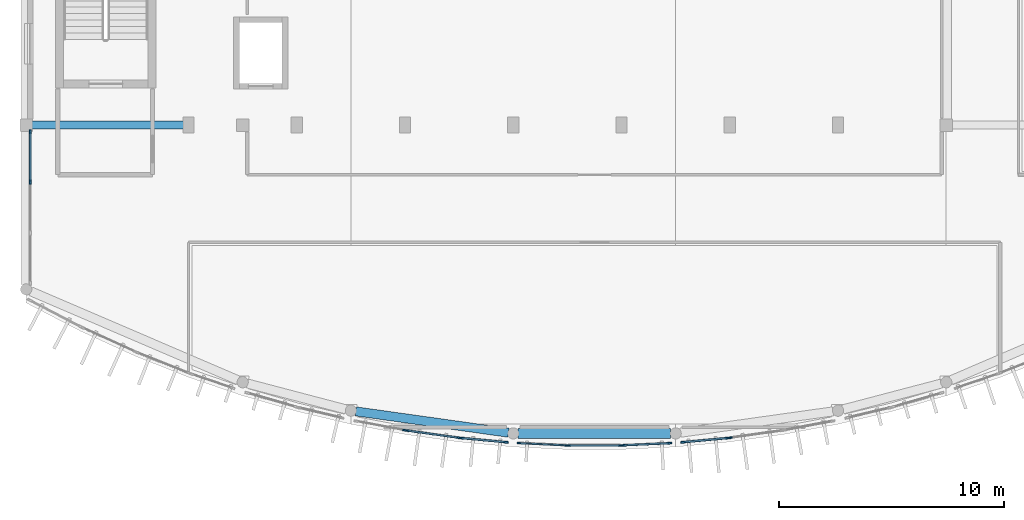
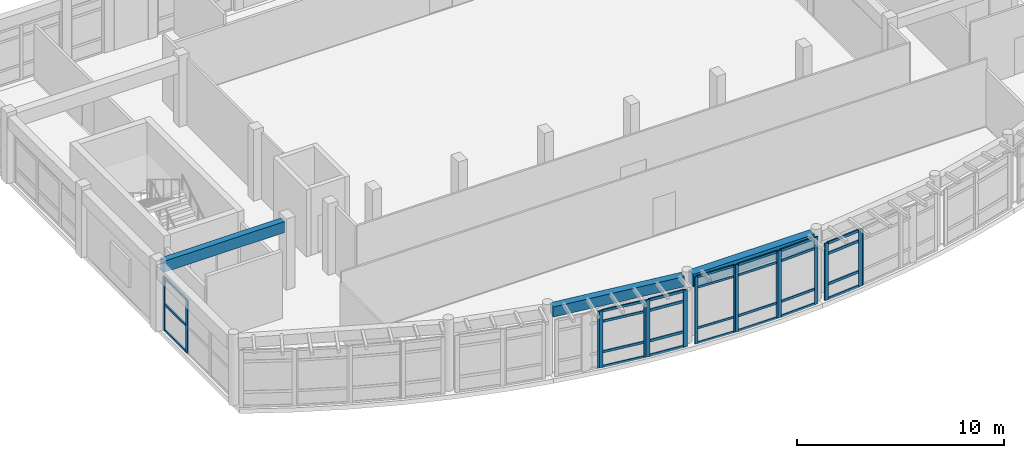
# One storey, part 10 of 60: 43 members, 3 beams, 9 elements without a shape of their own.
"""IFC4 building model written with IfcOpenShell, lengths in metres."""

from ifc_helpers import new_model, si_unit, direction, frame, origin, origin_2d, place, context, subcontext, project, spatial, rectangle, extrude, material, layer, layer_set, material_profile, profile_set, type_object, element, aggregate, save


model = new_model("IFC4")

# Units and contexts
model_context = context("Model", 3, precision=1e-05, world=origin(), true_north=direction((0.0, 1.0)))
body_context = subcontext(model_context, "Body", "Model", "MODEL_VIEW")
ifc_project = project(units=[si_unit("LENGTHUNIT", "METRE"), si_unit("AREAUNIT", "SQUARE_METRE"), si_unit("VOLUMEUNIT", "CUBIC_METRE"), si_unit("PLANEANGLEUNIT", "RADIAN"), si_unit("MASSUNIT", "GRAM", prefix="KILO")], contexts=[model_context])

# Site, building, storey
site_placement = place(None, origin())
site = spatial("IfcSite", under=ifc_project, at=site_placement, CompositionType="ELEMENT")
building_placement = place(site_placement, origin())
building = spatial("IfcBuilding", under=site, at=building_placement, Name="Brisavento Harbour Community Centre", CompositionType="ELEMENT")
storey_placement = place(building_placement, frame((0.0, 0.0, 4.5)))
storey = spatial("IfcBuildingStorey", under=building, at=storey_placement, Name="L01", CompositionType="ELEMENT", Elevation=4.5)

# Beams
ifc_material_1 = material(Name="Concrete C35/45", Category="concrete")
ifc_material_profile_1 = material_profile(ifc_material_1, rectangle(XDim=0.35009765625, YDim=0.64990234375, at=origin_2d()), Name="Concrete C35/45")
ifc_profile_set_1 = profile_set([ifc_material_profile_1], Name="Concrete C35/45")
beam_type_1 = type_object("IfcBeamType", Name="BM-RC-350x650", PredefinedType="BEAM", material=ifc_profile_set_1)
beam_1_placement = place(storey_placement, frame((0.2451171875, 14.39990234375, 3.625), z_axis=(1.0, 0.0, 0.0), x_axis=(0.0, 1.0, 0.0)))
element("IfcBeam", 1, at=beam_1_placement, inside=storey, type_object=beam_type_1, Name="L01 primary girder X0408", PredefinedType="BEAM", context=body_context, shape_type="SweptSolid", body=[
    extrude(rectangle(XDim=0.35009765625, YDim=0.64990234375, at=origin_2d()), origin(), (0.0, 0.0, 1.0), 6.73486328125),
])
ifc_material_profile_2 = material_profile(ifc_material_1, rectangle(XDim=0.449951171875, YDim=0.75, at=origin_2d()), Name="Concrete C35/45")
ifc_profile_set_2 = profile_set([ifc_material_profile_2], Name="Concrete C35/45")
beam_type_2 = type_object("IfcBeamType", Name="BM-RC-450x750", PredefinedType="BEAM", material=ifc_profile_set_2)
beam_2_placement = place(storey_placement, frame((21.820068359375, 0.724853515625, 3.574951171875), z_axis=(1.0, 0.0, 0.0), x_axis=(0.0, 1.0, 0.0)))
element("IfcBeam", 2, at=beam_2_placement, inside=storey, type_object=beam_type_2, Name="L01 primary girder X0406", PredefinedType="BEAM", context=body_context, shape_type="SweptSolid", body=[
    extrude(rectangle(XDim=0.449951171875, YDim=0.75, at=origin_2d()), origin(), (0.0, 0.0, 1.0), 6.760009765625),
])
ifc_material_profile_3 = material_profile(ifc_material_1, rectangle(XDim=0.39990234375, YDim=0.60009765625, at=origin_2d()), Name="Concrete C35/45")
ifc_profile_set_3 = profile_set([ifc_material_profile_3], Name="Concrete C35/45")
beam_type_3 = type_object("IfcBeamType", Name="BM-SPN-400x600", PredefinedType="SPANDREL", material=ifc_profile_set_3)
beam_3_placement = place(storey_placement, frame((14.617919921875, 1.703369140625, 3.64990234375), z_axis=(0.990321318847, -0.138793679386, 0.0), x_axis=(0.138793679386, 0.990321318847, 0.0)))
element("IfcBeam", 3, at=beam_3_placement, inside=storey, type_object=beam_type_3, Name="L01 curved perimeter spandrel 0533", PredefinedType="SPANDREL", context=body_context, shape_type="SweptSolid", body=[
    extrude(rectangle(XDim=0.39990234375, YDim=0.60009765625, at=origin_2d()), origin(), (0.0, 0.0, 1.0), 6.830322265625),
])

# Curtain wall, members
ifc_material_2 = material(Name="Marine-anodised aluminium AW-6063-T6", Category="aluminium")
ifc_layer_1 = layer(ifc_material_2, 0.179931640625, Name="Marine-anodised aluminium AW-6063-T6")
ifc_layer_set_1 = layer_set([ifc_layer_1], Name="Marine-anodised aluminium AW-6063-T6")
curtain_wall_type_1 = type_object("IfcCurtainWallType", Name="CW-SYS-01", PredefinedType="USERDEFINED", material=ifc_layer_set_1)
curtain_wall_1_placement = place(storey_placement, origin())
curtain_wall_1 = element("IfcCurtainWall", 4, at=curtain_wall_1_placement, inside=storey, type_object=curtain_wall_type_1, Name="L01 V1 unitised curtain wall 029", ObjectType="UNITISED CURTAIN WALL", PredefinedType="USERDEFINED")
ifc_material_profile_4 = material_profile(ifc_material_2, rectangle(XDim=0.06494140625, YDim=0.1650390625, at=origin_2d()), Name="Marine-anodised aluminium AW-6063-T6")
ifc_profile_set_4 = profile_set([ifc_material_profile_4], Name="Marine-anodised aluminium AW-6063-T6")
member_type_1 = type_object("IfcMemberType", Name="CWM-01", PredefinedType="MULLION", material=ifc_profile_set_4)
member_1_placement = place(storey_placement, frame((23.957763671875, 0.196044921875, 0.0), z_axis=(0.0, 0.0, 1.0), x_axis=(-0.046167846582, -0.998933696469, 0.0)))
member_1 = element("IfcMember", 5, at=member_1_placement, type_object=member_type_1, Name="CW-01 mullion 1", PredefinedType="MULLION", context=body_context, shape_type="SweptSolid", body=[
    extrude(rectangle(XDim=0.06494140625, YDim=0.1650390625, at=origin_2d()), origin(), (0.0, 0.0, 1.0), 3.949951171875),
])
member_2_placement = place(storey_placement, frame((21.859130859375, 0.29296875, 0.0), z_axis=(0.0, 0.0, 1.0), x_axis=(-0.046167846582, -0.998933696469, 0.0)))
member_2 = element("IfcMember", 6, at=member_2_placement, type_object=member_type_1, Name="CW-01 mullion 2", PredefinedType="MULLION", context=body_context, shape_type="SweptSolid", body=[
    extrude(rectangle(XDim=0.06494140625, YDim=0.1650390625, at=origin_2d()), origin(), (0.0, 0.0, 1.0), 3.949951171875),
])

# Curtain wall, member
ifc_layer_2 = layer(ifc_material_2, 0.179931640625, Name="Marine-anodised aluminium AW-6063-T6")
ifc_layer_set_2 = layer_set([ifc_layer_2], Name="Marine-anodised aluminium AW-6063-T6")
curtain_wall_type_2 = type_object("IfcCurtainWallType", Name="CW-SYS-05", PredefinedType="USERDEFINED", material=ifc_layer_set_2)
curtain_wall_2_placement = place(storey_placement, origin())
curtain_wall_2 = element("IfcCurtainWall", 7, at=curtain_wall_2_placement, inside=storey, type_object=curtain_wall_type_2, Name="L01 V1 unitised curtain wall 033", ObjectType="UNITISED CURTAIN WALL", PredefinedType="USERDEFINED")
member_3_placement = place(storey_placement, frame((31.22509765625, 0.53271484375, 0.0), z_axis=(0.0, 0.0, 1.0), x_axis=(0.138476944024, -0.990365657711, 0.0)))
member_3 = element("IfcMember", 8, at=member_3_placement, type_object=member_type_1, Name="CW-05 mullion 2", PredefinedType="MULLION", context=body_context, shape_type="SweptSolid", body=[
    extrude(rectangle(XDim=0.06494140625, YDim=0.1650390625, at=origin_2d()), origin(), (0.0, 0.0, 1.0), 3.35009765625),
])
aggregate(curtain_wall_2, [member_3])

ifc_layer_3 = layer(ifc_material_2, 0.179931640625, Name="Marine-anodised aluminium AW-6063-T6")
ifc_layer_set_3 = layer_set([ifc_layer_3], Name="Marine-anodised aluminium AW-6063-T6")
curtain_wall_type_3 = type_object("IfcCurtainWallType", Name="CW-SYS-26", PredefinedType="USERDEFINED", material=ifc_layer_set_3)
curtain_wall_3_placement = place(storey_placement, origin())
curtain_wall_3 = element("IfcCurtainWall", 9, at=curtain_wall_3_placement, inside=storey, type_object=curtain_wall_type_3, Name="L01 V1 unitised curtain wall 026", ObjectType="UNITISED CURTAIN WALL", PredefinedType="USERDEFINED")
ifc_material_profile_5 = material_profile(ifc_material_2, rectangle(XDim=0.070068359375, YDim=0.179931640625, at=origin_2d()), Name="Marine-anodised aluminium AW-6063-T6")
ifc_profile_set_5 = profile_set([ifc_material_profile_5], Name="Marine-anodised aluminium AW-6063-T6")
member_type_2 = type_object("IfcMemberType", Name="CWM-02", PredefinedType="MULLION", material=ifc_profile_set_5)
member_4_placement = place(storey_placement, frame((16.781005859375, 0.86962890625, 0.0), z_axis=(0.0, 0.0, 1.0), x_axis=(-0.184689637418, -0.982796895513, 0.0)))
member_4 = element("IfcMember", 10, at=member_4_placement, type_object=member_type_2, Name="CW-26 mullion 1", PredefinedType="MULLION", context=body_context, shape_type="SweptSolid", body=[
    extrude(rectangle(XDim=0.070068359375, YDim=0.179931640625, at=origin_2d()), origin(), (0.0, 0.0, 1.0), 3.35009765625),
])
aggregate(curtain_wall_3, [member_4])

# Curtain wall, members
ifc_layer_4 = layer(ifc_material_2, 0.179931640625, Name="Marine-anodised aluminium AW-6063-T6")
ifc_layer_set_4 = layer_set([ifc_layer_4], Name="Marine-anodised aluminium AW-6063-T6")
curtain_wall_type_4 = type_object("IfcCurtainWallType", Name="CW-SYS-02", PredefinedType="USERDEFINED", material=ifc_layer_set_4)
curtain_wall_4_placement = place(storey_placement, origin())
curtain_wall_4 = element("IfcCurtainWall", 11, at=curtain_wall_4_placement, inside=storey, type_object=curtain_wall_type_4, Name="L01 V1 unitised curtain wall 030", ObjectType="UNITISED CURTAIN WALL", PredefinedType="USERDEFINED")
member_5_placement = place(storey_placement, frame((26.346923828125, 0.19384765625, 0.0), z_axis=(0.0, 0.0, 1.0), x_axis=(0.0, -1.0, 0.0)))
member_5 = element("IfcMember", 12, at=member_5_placement, type_object=member_type_2, Name="CW-02 mullion 1", PredefinedType="MULLION", context=body_context, shape_type="SweptSolid", body=[
    extrude(rectangle(XDim=0.070068359375, YDim=0.179931640625, at=origin_2d()), origin(), (0.0, 0.0, 1.0), 3.949951171875),
])
member_6_placement = place(storey_placement, frame((24.052978515625, 0.19384765625, 0.0), z_axis=(0.0, 0.0, 1.0), x_axis=(0.0, -1.0, 0.0)))
member_6 = element("IfcMember", 13, at=member_6_placement, type_object=member_type_2, Name="CW-02 mullion 2", PredefinedType="MULLION", context=body_context, shape_type="SweptSolid", body=[
    extrude(rectangle(XDim=0.070068359375, YDim=0.179931640625, at=origin_2d()), origin(), (0.0, 0.0, 1.0), 3.949951171875),
])

ifc_layer_5 = layer(ifc_material_2, 0.179931640625, Name="Marine-anodised aluminium AW-6063-T6")
ifc_layer_set_5 = layer_set([ifc_layer_5], Name="Marine-anodised aluminium AW-6063-T6")
curtain_wall_type_5 = type_object("IfcCurtainWallType", Name="CW-SYS-27", PredefinedType="USERDEFINED", material=ifc_layer_set_5)
curtain_wall_5_placement = place(storey_placement, origin())
curtain_wall_5 = element("IfcCurtainWall", 14, at=curtain_wall_5_placement, inside=storey, type_object=curtain_wall_type_5, Name="L01 V1 unitised curtain wall 027", ObjectType="UNITISED CURTAIN WALL", PredefinedType="USERDEFINED")
ifc_material_profile_6 = material_profile(ifc_material_2, rectangle(XDim=0.074951171875, YDim=0.18994140625, at=origin_2d()), Name="Marine-anodised aluminium AW-6063-T6")
ifc_profile_set_6 = profile_set([ifc_material_profile_6], Name="Marine-anodised aluminium AW-6063-T6")
member_type_3 = type_object("IfcMemberType", Name="CWM-03", PredefinedType="MULLION", material=ifc_profile_set_6)
member_7_placement = place(storey_placement, frame((19.169921875, 0.533203125, 0.0), z_axis=(0.0, 0.0, 1.0), x_axis=(-0.138476944024, -0.990365657711, 0.0)))
member_7 = element("IfcMember", 15, at=member_7_placement, type_object=member_type_3, Name="CW-27 mullion 1", PredefinedType="MULLION", context=body_context, shape_type="SweptSolid", body=[
    extrude(rectangle(XDim=0.074951171875, YDim=0.18994140625, at=origin_2d()), origin(), (0.0, 0.0, 1.0), 3.35009765625),
])
member_8_placement = place(storey_placement, frame((16.8798828125, 0.853515625, 0.0), z_axis=(0.0, 0.0, 1.0), x_axis=(-0.138476944024, -0.990365657711, 0.0)))
member_8 = element("IfcMember", 16, at=member_8_placement, type_object=member_type_3, Name="CW-27 mullion 2", PredefinedType="MULLION", context=body_context, shape_type="SweptSolid", body=[
    extrude(rectangle(XDim=0.074951171875, YDim=0.18994140625, at=origin_2d()), origin(), (0.0, 0.0, 1.0), 3.35009765625),
])

ifc_layer_6 = layer(ifc_material_2, 0.179931640625, Name="Marine-anodised aluminium AW-6063-T6")
ifc_layer_set_6 = layer_set([ifc_layer_6], Name="Marine-anodised aluminium AW-6063-T6")
curtain_wall_type_6 = type_object("IfcCurtainWallType", Name="CW-SYS-03", PredefinedType="USERDEFINED", material=ifc_layer_set_6)
curtain_wall_6_placement = place(storey_placement, origin())
curtain_wall_6 = element("IfcCurtainWall", 17, at=curtain_wall_6_placement, inside=storey, type_object=curtain_wall_type_6, Name="L01 V1 unitised curtain wall 031", ObjectType="UNITISED CURTAIN WALL", PredefinedType="USERDEFINED")
member_9_placement = place(storey_placement, frame((28.535888671875, 0.292724609375, 0.0), z_axis=(0.0, 0.0, 1.0), x_axis=(0.046167846582, -0.998933696469, 0.0)))
member_9 = element("IfcMember", 18, at=member_9_placement, type_object=member_type_3, Name="CW-03 mullion 1", PredefinedType="MULLION", context=body_context, shape_type="SweptSolid", body=[
    extrude(rectangle(XDim=0.074951171875, YDim=0.18994140625, at=origin_2d()), origin(), (0.0, 0.0, 1.0), 3.949951171875),
])
member_10_placement = place(storey_placement, frame((26.447265625, 0.1962890625, 0.0), z_axis=(0.0, 0.0, 1.0), x_axis=(0.046167846582, -0.998933696469, 0.0)))
member_10 = element("IfcMember", 19, at=member_10_placement, type_object=member_type_3, Name="CW-03 mullion 2", PredefinedType="MULLION", context=body_context, shape_type="SweptSolid", body=[
    extrude(rectangle(XDim=0.074951171875, YDim=0.18994140625, at=origin_2d()), origin(), (0.0, 0.0, 1.0), 3.949951171875),
])

ifc_layer_7 = layer(ifc_material_2, 0.179931640625, Name="Marine-anodised aluminium AW-6063-T6")
ifc_layer_set_7 = layer_set([ifc_layer_7], Name="Marine-anodised aluminium AW-6063-T6")
curtain_wall_type_7 = type_object("IfcCurtainWallType", Name="CW-SYS-19", PredefinedType="USERDEFINED", material=ifc_layer_set_7)
curtain_wall_7_placement = place(storey_placement, origin())
curtain_wall_7 = element("IfcCurtainWall", 20, at=curtain_wall_7_placement, inside=storey, type_object=curtain_wall_type_7, Name="L01 V1 unitised curtain wall 047", ObjectType="UNITISED CURTAIN WALL", PredefinedType="USERDEFINED")
member_11_placement = place(storey_placement, frame((0.179931640625, 11.87646484375, 0.0), z_axis=(0.0, 0.0, 1.0), x_axis=(-1.0, 0.0, 0.0)))
member_11 = element("IfcMember", 21, at=member_11_placement, type_object=member_type_3, Name="CW-19 mullion 3", PredefinedType="MULLION", context=body_context, shape_type="SweptSolid", body=[
    extrude(rectangle(XDim=0.074951171875, YDim=0.18994140625, at=origin_2d()), origin(), (0.0, 0.0, 1.0), 3.14990234375),
])
member_12_placement = place(storey_placement, frame((0.179931640625, 14.1025390625, 0.0), z_axis=(0.0, 0.0, 1.0), x_axis=(-1.0, 0.0, 0.0)))
member_12 = element("IfcMember", 22, at=member_12_placement, type_object=member_type_3, Name="CW-19 mullion 4", PredefinedType="MULLION", context=body_context, shape_type="SweptSolid", body=[
    extrude(rectangle(XDim=0.074951171875, YDim=0.18994140625, at=origin_2d()), origin(), (0.0, 0.0, 1.0), 3.14990234375),
])

ifc_layer_8 = layer(ifc_material_2, 0.179931640625, Name="Marine-anodised aluminium AW-6063-T6")
ifc_layer_set_8 = layer_set([ifc_layer_8], Name="Marine-anodised aluminium AW-6063-T6")
curtain_wall_type_8 = type_object("IfcCurtainWallType", Name="CW-SYS-28", PredefinedType="USERDEFINED", material=ifc_layer_set_8)
curtain_wall_8_placement = place(storey_placement, origin())
curtain_wall_8 = element("IfcCurtainWall", 23, at=curtain_wall_8_placement, inside=storey, type_object=curtain_wall_type_8, Name="L01 V1 unitised curtain wall 028", ObjectType="UNITISED CURTAIN WALL", PredefinedType="USERDEFINED")
ifc_material_profile_7 = material_profile(ifc_material_2, rectangle(XDim=0.080078125, YDim=0.2099609375, at=origin_2d()), Name="Marine-anodised aluminium AW-6063-T6")
ifc_profile_set_7 = profile_set([ifc_material_profile_7], Name="Marine-anodised aluminium AW-6063-T6")
member_type_4 = type_object("IfcMemberType", Name="CWM-04", PredefinedType="MULLION", material=ifc_profile_set_7)
member_13_placement = place(storey_placement, frame((21.265869140625, 0.336669921875, 0.0), z_axis=(0.0, 0.0, 1.0), x_axis=(-0.092260886159, -0.99573486877, 0.0)))
member_13 = element("IfcMember", 24, at=member_13_placement, type_object=member_type_4, Name="CW-28 mullion 1", PredefinedType="MULLION", context=body_context, shape_type="SweptSolid", body=[
    extrude(rectangle(XDim=0.080078125, YDim=0.2099609375, at=origin_2d()), origin(), (0.0, 0.0, 1.0), 3.35009765625),
])
member_14_placement = place(storey_placement, frame((19.2744140625, 0.52099609375, 0.0), z_axis=(0.0, 0.0, 1.0), x_axis=(-0.092260886159, -0.99573486877, 0.0)))
member_14 = element("IfcMember", 25, at=member_14_placement, type_object=member_type_4, Name="CW-28 mullion 2", PredefinedType="MULLION", context=body_context, shape_type="SweptSolid", body=[
    extrude(rectangle(XDim=0.080078125, YDim=0.2099609375, at=origin_2d()), origin(), (0.0, 0.0, 1.0), 3.35009765625),
])

ifc_layer_9 = layer(ifc_material_2, 0.179931640625, Name="Marine-anodised aluminium AW-6063-T6")
ifc_layer_set_9 = layer_set([ifc_layer_9], Name="Marine-anodised aluminium AW-6063-T6")
curtain_wall_type_9 = type_object("IfcCurtainWallType", Name="CW-SYS-04", PredefinedType="USERDEFINED", material=ifc_layer_set_9)
curtain_wall_9_placement = place(storey_placement, origin())
curtain_wall_9 = element("IfcCurtainWall", 26, at=curtain_wall_9_placement, inside=storey, type_object=curtain_wall_type_9, Name="L01 V1 unitised curtain wall 032", ObjectType="UNITISED CURTAIN WALL", PredefinedType="USERDEFINED")
member_15_placement = place(storey_placement, frame((31.125732421875, 0.52099609375, 0.0), z_axis=(0.0, 0.0, 1.0), x_axis=(0.092260886159, -0.99573486877, 0.0)))
member_15 = element("IfcMember", 27, at=member_15_placement, type_object=member_type_4, Name="CW-04 mullion 1", PredefinedType="MULLION", context=body_context, shape_type="SweptSolid", body=[
    extrude(rectangle(XDim=0.080078125, YDim=0.2099609375, at=origin_2d()), origin(), (0.0, 0.0, 1.0), 3.35009765625),
])
member_16_placement = place(storey_placement, frame((29.13427734375, 0.336669921875, 0.0), z_axis=(0.0, 0.0, 1.0), x_axis=(0.092260886159, -0.99573486877, 0.0)))
member_16 = element("IfcMember", 28, at=member_16_placement, type_object=member_type_4, Name="CW-04 mullion 2", PredefinedType="MULLION", context=body_context, shape_type="SweptSolid", body=[
    extrude(rectangle(XDim=0.080078125, YDim=0.2099609375, at=origin_2d()), origin(), (0.0, 0.0, 1.0), 3.35009765625),
])

# Member
ifc_material_profile_8 = material_profile(ifc_material_2, rectangle(XDim=0.06494140625, YDim=0.125, at=origin_2d()), Name="Marine-anodised aluminium AW-6063-T6")
ifc_profile_set_8 = profile_set([ifc_material_profile_8], Name="Marine-anodised aluminium AW-6063-T6")
member_type_5 = type_object("IfcMemberType", Name="CWT-01", PredefinedType="USERDEFINED", material=ifc_profile_set_8)
member_17_placement = place(storey_placement, frame((23.92529296875, 0.197509765625, 0.032470703125), z_axis=(-0.998933633845, 0.046169201564, 0.0), x_axis=(-0.046169201564, -0.998933633845, 0.0)))
member_17 = element("IfcMember", 29, at=member_17_placement, type_object=member_type_5, Name="CW-01 transom 1.1", ObjectType="TRANSOM", PredefinedType="USERDEFINED", context=body_context, shape_type="SweptSolid", body=[
    extrude(rectangle(XDim=0.06494140625, YDim=0.125, at=origin_2d()), origin(), (0.0, 0.0, 1.0), 2.035888671875),
])

member_18_placement = place(storey_placement, frame((23.92529296875, 0.197509765625, 0.89990234375), z_axis=(-0.998933633845, 0.046169201564, 0.0), x_axis=(-0.046169201564, -0.998933633845, 0.0)))
member_18 = element("IfcMember", 30, at=member_18_placement, type_object=member_type_5, Name="CW-01 transom 1.2", ObjectType="TRANSOM", PredefinedType="USERDEFINED", context=body_context, shape_type="SweptSolid", body=[
    extrude(rectangle(XDim=0.06494140625, YDim=0.125, at=origin_2d()), origin(), (0.0, 0.0, 1.0), 2.035888671875),
])

member_19_placement = place(storey_placement, frame((23.92529296875, 0.197509765625, 3.300048828125), z_axis=(-0.998933633845, 0.046169201564, 0.0), x_axis=(-0.046169201564, -0.998933633845, 0.0)))
member_19 = element("IfcMember", 31, at=member_19_placement, type_object=member_type_5, Name="CW-01 transom 1.3", ObjectType="TRANSOM", PredefinedType="USERDEFINED", context=body_context, shape_type="SweptSolid", body=[
    extrude(rectangle(XDim=0.06494140625, YDim=0.125, at=origin_2d()), origin(), (0.0, 0.0, 1.0), 2.035888671875),
])

member_20_placement = place(storey_placement, frame((23.92529296875, 0.197509765625, 3.91748046875), z_axis=(-0.998933633845, 0.046169201564, 0.0), x_axis=(-0.046169201564, -0.998933633845, 0.0)))
member_20 = element("IfcMember", 32, at=member_20_placement, type_object=member_type_5, Name="CW-01 transom 1.4", ObjectType="TRANSOM", PredefinedType="USERDEFINED", context=body_context, shape_type="SweptSolid", body=[
    extrude(rectangle(XDim=0.06494140625, YDim=0.125, at=origin_2d()), origin(), (0.0, 0.0, 1.0), 2.035888671875),
])

aggregate(curtain_wall_1, [member_1, member_2, member_17, member_18, member_19, member_20])

ifc_material_profile_9 = material_profile(ifc_material_2, rectangle(XDim=0.070068359375, YDim=0.132080078125, at=origin_2d()), Name="Marine-anodised aluminium AW-6063-T6")
ifc_profile_set_9 = profile_set([ifc_material_profile_9], Name="Marine-anodised aluminium AW-6063-T6")
member_type_6 = type_object("IfcMemberType", Name="CWT-02", PredefinedType="USERDEFINED", material=ifc_profile_set_9)
member_21_placement = place(storey_placement, frame((26.31201171875, 0.19384765625, 0.034912109375), z_axis=(-1.0, 0.0, 0.0), x_axis=(0.0, -1.0, 0.0)))
member_21 = element("IfcMember", 33, at=member_21_placement, type_object=member_type_6, Name="CW-02 transom 1.1", ObjectType="TRANSOM", PredefinedType="USERDEFINED", context=body_context, shape_type="SweptSolid", body=[
    extrude(rectangle(XDim=0.070068359375, YDim=0.132080078125, at=origin_2d()), origin(), (0.0, 0.0, 1.0), 2.22412109375),
])

member_22_placement = place(storey_placement, frame((26.31201171875, 0.19384765625, 0.89990234375), z_axis=(-1.0, 0.0, 0.0), x_axis=(0.0, -1.0, 0.0)))
member_22 = element("IfcMember", 34, at=member_22_placement, type_object=member_type_6, Name="CW-02 transom 1.2", ObjectType="TRANSOM", PredefinedType="USERDEFINED", context=body_context, shape_type="SweptSolid", body=[
    extrude(rectangle(XDim=0.070068359375, YDim=0.132080078125, at=origin_2d()), origin(), (0.0, 0.0, 1.0), 2.22412109375),
])

member_23_placement = place(storey_placement, frame((26.31201171875, 0.19384765625, 3.300048828125), z_axis=(-1.0, 0.0, 0.0), x_axis=(0.0, -1.0, 0.0)))
member_23 = element("IfcMember", 35, at=member_23_placement, type_object=member_type_6, Name="CW-02 transom 1.3", ObjectType="TRANSOM", PredefinedType="USERDEFINED", context=body_context, shape_type="SweptSolid", body=[
    extrude(rectangle(XDim=0.070068359375, YDim=0.132080078125, at=origin_2d()), origin(), (0.0, 0.0, 1.0), 2.22412109375),
])

member_24_placement = place(storey_placement, frame((26.31201171875, 0.19384765625, 3.9150390625), z_axis=(-1.0, 0.0, 0.0), x_axis=(0.0, -1.0, 0.0)))
member_24 = element("IfcMember", 36, at=member_24_placement, type_object=member_type_6, Name="CW-02 transom 1.4", ObjectType="TRANSOM", PredefinedType="USERDEFINED", context=body_context, shape_type="SweptSolid", body=[
    extrude(rectangle(XDim=0.070068359375, YDim=0.132080078125, at=origin_2d()), origin(), (0.0, 0.0, 1.0), 2.22412109375),
])

aggregate(curtain_wall_4, [member_5, member_6, member_21, member_22, member_23, member_24])

ifc_material_profile_10 = material_profile(ifc_material_2, rectangle(XDim=0.074951171875, YDim=0.139892578125, at=origin_2d()), Name="Marine-anodised aluminium AW-6063-T6")
ifc_profile_set_10 = profile_set([ifc_material_profile_10], Name="Marine-anodised aluminium AW-6063-T6")
member_type_7 = type_object("IfcMemberType", Name="CWT-03", PredefinedType="USERDEFINED", material=ifc_profile_set_10)
member_25_placement = place(storey_placement, frame((19.1328125, 0.53857421875, 0.03759765625), z_axis=(-0.990366303286, 0.138472326892, 0.0), x_axis=(-0.138472326892, -0.990366303286, 0.0)))
member_25 = element("IfcMember", 37, at=member_25_placement, type_object=member_type_7, Name="CW-27 transom 1.1", ObjectType="TRANSOM", PredefinedType="USERDEFINED", context=body_context, shape_type="SweptSolid", body=[
    extrude(rectangle(XDim=0.074951171875, YDim=0.139892578125, at=origin_2d()), origin(), (0.0, 0.0, 1.0), 2.2373046875),
])

member_26_placement = place(storey_placement, frame((19.1328125, 0.53857421875, 0.89990234375), z_axis=(-0.990366303286, 0.138472326892, 0.0), x_axis=(-0.138472326892, -0.990366303286, 0.0)))
member_26 = element("IfcMember", 38, at=member_26_placement, type_object=member_type_7, Name="CW-27 transom 1.2", ObjectType="TRANSOM", PredefinedType="USERDEFINED", context=body_context, shape_type="SweptSolid", body=[
    extrude(rectangle(XDim=0.074951171875, YDim=0.139892578125, at=origin_2d()), origin(), (0.0, 0.0, 1.0), 2.2373046875),
])

member_27_placement = place(storey_placement, frame((19.1328125, 0.53857421875, 2.699951171875), z_axis=(-0.990366303286, 0.138472326892, 0.0), x_axis=(-0.138472326892, -0.990366303286, 0.0)))
member_27 = element("IfcMember", 39, at=member_27_placement, type_object=member_type_7, Name="CW-27 transom 1.3", ObjectType="TRANSOM", PredefinedType="USERDEFINED", context=body_context, shape_type="SweptSolid", body=[
    extrude(rectangle(XDim=0.074951171875, YDim=0.139892578125, at=origin_2d()), origin(), (0.0, 0.0, 1.0), 2.2373046875),
])

member_28_placement = place(storey_placement, frame((19.1328125, 0.53857421875, 3.3125), z_axis=(-0.990366303286, 0.138472326892, 0.0), x_axis=(-0.138472326892, -0.990366303286, 0.0)))
member_28 = element("IfcMember", 40, at=member_28_placement, type_object=member_type_7, Name="CW-27 transom 1.4", ObjectType="TRANSOM", PredefinedType="USERDEFINED", context=body_context, shape_type="SweptSolid", body=[
    extrude(rectangle(XDim=0.074951171875, YDim=0.139892578125, at=origin_2d()), origin(), (0.0, 0.0, 1.0), 2.2373046875),
])

aggregate(curtain_wall_5, [member_7, member_8, member_25, member_26, member_27, member_28])

member_29_placement = place(storey_placement, frame((28.49853515625, 0.291015625, 0.03759765625), z_axis=(-0.99893506482, -0.046138230052, 0.0), x_axis=(0.046138230052, -0.99893506482, 0.0)))
member_29 = element("IfcMember", 41, at=member_29_placement, type_object=member_type_7, Name="CW-03 transom 1.1", ObjectType="TRANSOM", PredefinedType="USERDEFINED", context=body_context, shape_type="SweptSolid", body=[
    extrude(rectangle(XDim=0.074951171875, YDim=0.139892578125, at=origin_2d()), origin(), (0.0, 0.0, 1.0), 2.01611328125),
])

member_30_placement = place(storey_placement, frame((28.49853515625, 0.291015625, 0.89990234375), z_axis=(-0.99893506482, -0.046138230052, 0.0), x_axis=(0.046138230052, -0.99893506482, 0.0)))
member_30 = element("IfcMember", 42, at=member_30_placement, type_object=member_type_7, Name="CW-03 transom 1.2", ObjectType="TRANSOM", PredefinedType="USERDEFINED", context=body_context, shape_type="SweptSolid", body=[
    extrude(rectangle(XDim=0.074951171875, YDim=0.139892578125, at=origin_2d()), origin(), (0.0, 0.0, 1.0), 2.01611328125),
])

member_31_placement = place(storey_placement, frame((28.49853515625, 0.291015625, 3.300048828125), z_axis=(-0.99893506482, -0.046138230052, 0.0), x_axis=(0.046138230052, -0.99893506482, 0.0)))
member_31 = element("IfcMember", 43, at=member_31_placement, type_object=member_type_7, Name="CW-03 transom 1.3", ObjectType="TRANSOM", PredefinedType="USERDEFINED", context=body_context, shape_type="SweptSolid", body=[
    extrude(rectangle(XDim=0.074951171875, YDim=0.139892578125, at=origin_2d()), origin(), (0.0, 0.0, 1.0), 2.01611328125),
])

member_32_placement = place(storey_placement, frame((28.49853515625, 0.291015625, 3.91259765625), z_axis=(-0.99893506482, -0.046138230052, 0.0), x_axis=(0.046138230052, -0.99893506482, 0.0)))
member_32 = element("IfcMember", 44, at=member_32_placement, type_object=member_type_7, Name="CW-03 transom 1.4", ObjectType="TRANSOM", PredefinedType="USERDEFINED", context=body_context, shape_type="SweptSolid", body=[
    extrude(rectangle(XDim=0.074951171875, YDim=0.139892578125, at=origin_2d()), origin(), (0.0, 0.0, 1.0), 2.01611328125),
])

aggregate(curtain_wall_6, [member_9, member_10, member_29, member_30, member_31, member_32])

member_33_placement = place(storey_placement, frame((0.179931640625, 11.913818359375, 0.03759765625), z_axis=(0.0, 1.0, 0.0), x_axis=(-1.0, 0.0, 0.0)))
member_33 = element("IfcMember", 45, at=member_33_placement, type_object=member_type_7, Name="CW-19 transom 3.1", ObjectType="TRANSOM", PredefinedType="USERDEFINED", context=body_context, shape_type="SweptSolid", body=[
    extrude(rectangle(XDim=0.074951171875, YDim=0.139892578125, at=origin_2d()), origin(), (0.0, 0.0, 1.0), 2.151123046875),
])

member_34_placement = place(storey_placement, frame((0.179931640625, 11.913818359375, 1.574951171875), z_axis=(0.0, 1.0, 0.0), x_axis=(-1.0, 0.0, 0.0)))
member_34 = element("IfcMember", 46, at=member_34_placement, type_object=member_type_7, Name="CW-19 transom 3.2", ObjectType="TRANSOM", PredefinedType="USERDEFINED", context=body_context, shape_type="SweptSolid", body=[
    extrude(rectangle(XDim=0.074951171875, YDim=0.139892578125, at=origin_2d()), origin(), (0.0, 0.0, 1.0), 2.151123046875),
])

member_35_placement = place(storey_placement, frame((0.179931640625, 11.913818359375, 3.112548828125), z_axis=(0.0, 1.0, 0.0), x_axis=(-1.0, 0.0, 0.0)))
member_35 = element("IfcMember", 47, at=member_35_placement, type_object=member_type_7, Name="CW-19 transom 3.3", ObjectType="TRANSOM", PredefinedType="USERDEFINED", context=body_context, shape_type="SweptSolid", body=[
    extrude(rectangle(XDim=0.074951171875, YDim=0.139892578125, at=origin_2d()), origin(), (0.0, 0.0, 1.0), 2.151123046875),
])

aggregate(curtain_wall_7, [member_11, member_12, member_33, member_34, member_35])

ifc_material_profile_11 = material_profile(ifc_material_2, rectangle(XDim=0.080078125, YDim=0.155029296875, at=origin_2d()), Name="Marine-anodised aluminium AW-6063-T6")
ifc_profile_set_11 = profile_set([ifc_material_profile_11], Name="Marine-anodised aluminium AW-6063-T6")
member_type_8 = type_object("IfcMemberType", Name="CWT-04", PredefinedType="USERDEFINED", material=ifc_profile_set_11)
member_36_placement = place(storey_placement, frame((21.225830078125, 0.34033203125, 0.0400390625), z_axis=(-0.995740674056, 0.092198210561, 0.0), x_axis=(-0.092198210561, -0.995740674056, 0.0)))
member_36 = element("IfcMember", 48, at=member_36_placement, type_object=member_type_8, Name="CW-28 transom 1.1", ObjectType="TRANSOM", PredefinedType="USERDEFINED", context=body_context, shape_type="SweptSolid", body=[
    extrude(rectangle(XDim=0.080078125, YDim=0.155029296875, at=origin_2d()), origin(), (0.0, 0.0, 1.0), 1.919677734375),
])

member_37_placement = place(storey_placement, frame((21.225830078125, 0.34033203125, 0.89990234375), z_axis=(-0.995740674056, 0.092198210561, 0.0), x_axis=(-0.092198210561, -0.995740674056, 0.0)))
member_37 = element("IfcMember", 49, at=member_37_placement, type_object=member_type_8, Name="CW-28 transom 1.2", ObjectType="TRANSOM", PredefinedType="USERDEFINED", context=body_context, shape_type="SweptSolid", body=[
    extrude(rectangle(XDim=0.080078125, YDim=0.155029296875, at=origin_2d()), origin(), (0.0, 0.0, 1.0), 1.919677734375),
])

member_38_placement = place(storey_placement, frame((21.225830078125, 0.34033203125, 2.699951171875), z_axis=(-0.995740674056, 0.092198210561, 0.0), x_axis=(-0.092198210561, -0.995740674056, 0.0)))
member_38 = element("IfcMember", 50, at=member_38_placement, type_object=member_type_8, Name="CW-28 transom 1.3", ObjectType="TRANSOM", PredefinedType="USERDEFINED", context=body_context, shape_type="SweptSolid", body=[
    extrude(rectangle(XDim=0.080078125, YDim=0.155029296875, at=origin_2d()), origin(), (0.0, 0.0, 1.0), 1.919677734375),
])

member_39_placement = place(storey_placement, frame((21.225830078125, 0.34033203125, 3.31005859375), z_axis=(-0.995740674056, 0.092198210561, 0.0), x_axis=(-0.092198210561, -0.995740674056, 0.0)))
member_39 = element("IfcMember", 51, at=member_39_placement, type_object=member_type_8, Name="CW-28 transom 1.4", ObjectType="TRANSOM", PredefinedType="USERDEFINED", context=body_context, shape_type="SweptSolid", body=[
    extrude(rectangle(XDim=0.080078125, YDim=0.155029296875, at=origin_2d()), origin(), (0.0, 0.0, 1.0), 1.919677734375),
])

aggregate(curtain_wall_8, [member_13, member_14, member_36, member_37, member_38, member_39])

member_40_placement = place(storey_placement, frame((31.0859375, 0.517333984375, 0.0400390625), z_axis=(-0.99574175486, -0.092186537131, 0.0), x_axis=(0.092186537131, -0.99574175486, 0.0)))
member_40 = element("IfcMember", 52, at=member_40_placement, type_object=member_type_8, Name="CW-04 transom 1.1", ObjectType="TRANSOM", PredefinedType="USERDEFINED", context=body_context, shape_type="SweptSolid", body=[
    extrude(rectangle(XDim=0.080078125, YDim=0.155029296875, at=origin_2d()), origin(), (0.0, 0.0, 1.0), 1.919921875),
])

member_41_placement = place(storey_placement, frame((31.0859375, 0.517333984375, 0.89990234375), z_axis=(-0.99574175486, -0.092186537131, 0.0), x_axis=(0.092186537131, -0.99574175486, 0.0)))
member_41 = element("IfcMember", 53, at=member_41_placement, type_object=member_type_8, Name="CW-04 transom 1.2", ObjectType="TRANSOM", PredefinedType="USERDEFINED", context=body_context, shape_type="SweptSolid", body=[
    extrude(rectangle(XDim=0.080078125, YDim=0.155029296875, at=origin_2d()), origin(), (0.0, 0.0, 1.0), 1.919921875),
])

member_42_placement = place(storey_placement, frame((31.0859375, 0.517333984375, 2.699951171875), z_axis=(-0.99574175486, -0.092186537131, 0.0), x_axis=(0.092186537131, -0.99574175486, 0.0)))
member_42 = element("IfcMember", 54, at=member_42_placement, type_object=member_type_8, Name="CW-04 transom 1.3", ObjectType="TRANSOM", PredefinedType="USERDEFINED", context=body_context, shape_type="SweptSolid", body=[
    extrude(rectangle(XDim=0.080078125, YDim=0.155029296875, at=origin_2d()), origin(), (0.0, 0.0, 1.0), 1.919921875),
])

member_43_placement = place(storey_placement, frame((31.0859375, 0.517333984375, 3.31005859375), z_axis=(-0.99574175486, -0.092186537131, 0.0), x_axis=(0.092186537131, -0.99574175486, 0.0)))
member_43 = element("IfcMember", 55, at=member_43_placement, type_object=member_type_8, Name="CW-04 transom 1.4", ObjectType="TRANSOM", PredefinedType="USERDEFINED", context=body_context, shape_type="SweptSolid", body=[
    extrude(rectangle(XDim=0.080078125, YDim=0.155029296875, at=origin_2d()), origin(), (0.0, 0.0, 1.0), 1.919921875),
])

aggregate(curtain_wall_9, [member_15, member_16, member_40, member_41, member_42, member_43])

save(model, "model.ifc")
